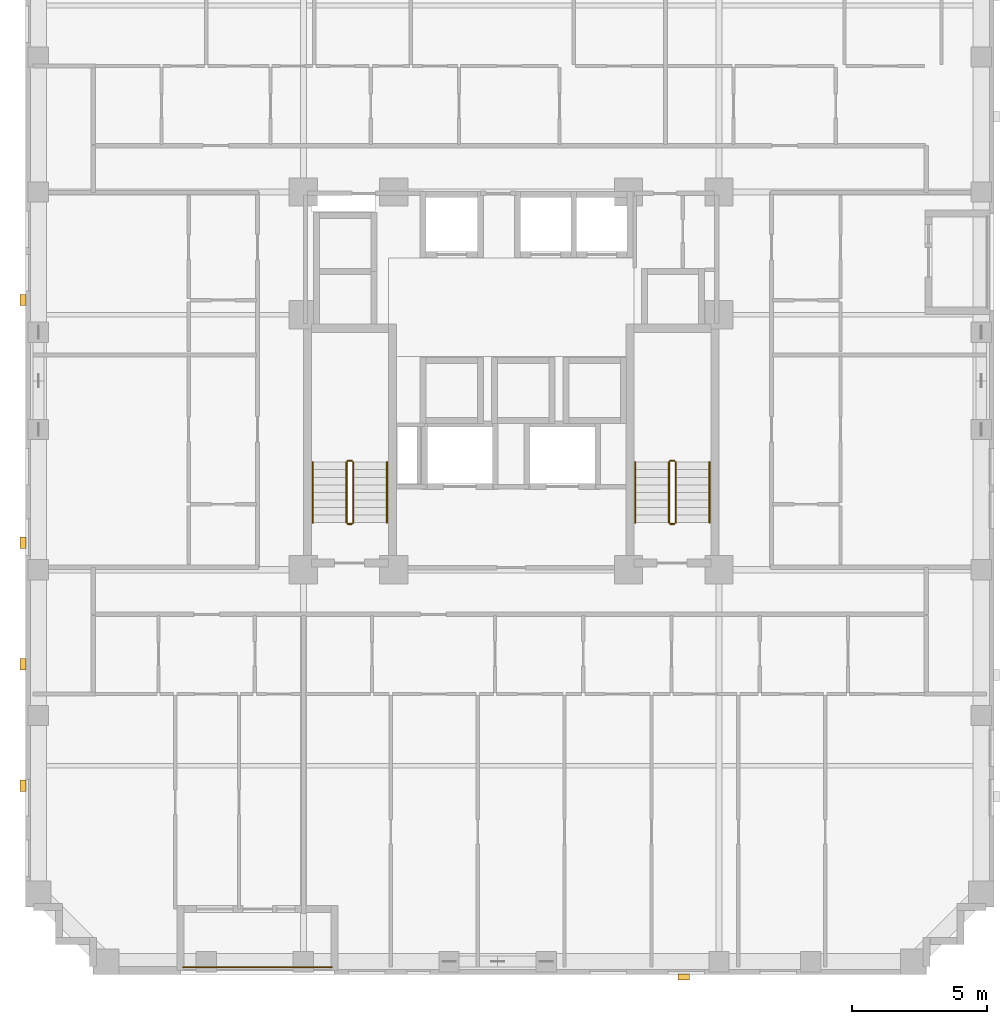
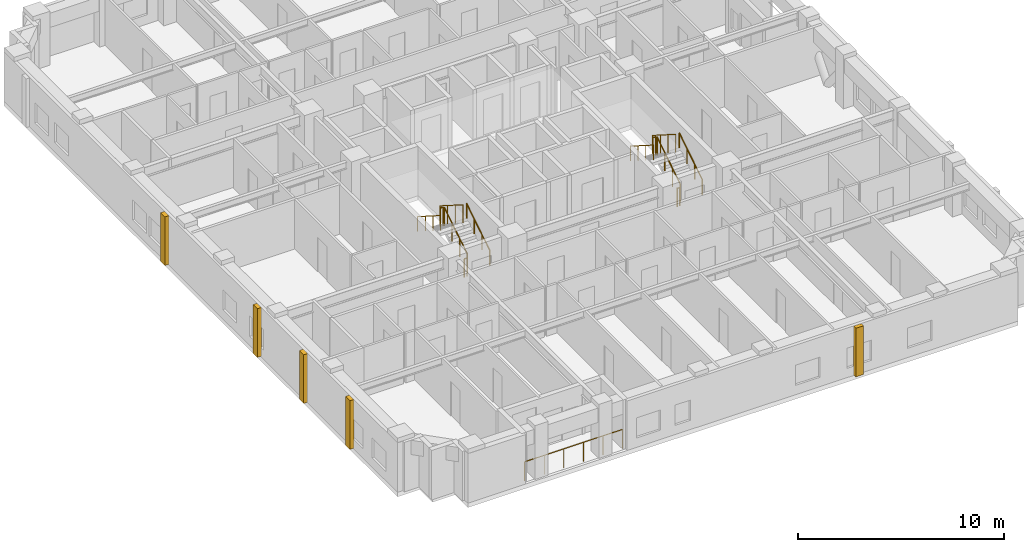
# One storey, part 11 of 12: 13 railings, 5 coverings.
"""IFC4 building model written with IfcOpenShell, lengths in metres."""

from ifc_helpers import new_model, si_unit, derived_unit, direction, frame, origin, origin_2d, place, context, subcontext, project, spatial, rectangle, circle, extrude, material, layer, layer_set, type_object, element, save


model = new_model("IFC4")

# Units and contexts
model_context = context("Model", 3, precision=1e-05, world=origin(), true_north=direction((0.0, 1.0)))
body_context = subcontext(model_context, "Body", "Model", "MODEL_VIEW")
ifc_project = project(units=[si_unit("LENGTHUNIT", "METRE"), si_unit("AREAUNIT", "SQUARE_METRE"), si_unit("VOLUMEUNIT", "CUBIC_METRE"), si_unit("PLANEANGLEUNIT", "RADIAN"), si_unit("MASSUNIT", "GRAM", prefix="KILO"), derived_unit("THERMALTRANSMITTANCEUNIT", [(si_unit("MASSUNIT", "GRAM", prefix="KILO"), 1), (si_unit("TIMEUNIT", "SECOND"), -3), (si_unit("THERMODYNAMICTEMPERATUREUNIT", "KELVIN"), -1)])], contexts=[model_context])

# Site, building, storey
site_placement = place(None, origin())
site = spatial("IfcSite", under=ifc_project, at=site_placement, CompositionType="ELEMENT")
building_placement = place(site_placement, origin())
building = spatial("IfcBuilding", under=site, at=building_placement, Name="Korrvale Station Residences", CompositionType="ELEMENT")
storey_placement = place(building_placement, frame((0.0, 0.0, 110.300048828125)))
storey = spatial("IfcBuildingStorey", under=building, at=storey_placement, Name="L31", CompositionType="ELEMENT", Elevation=110.300048828125)

# Coverings
ifc_material_1 = material(Name="Architectural precast concrete C45/55", Category="concrete")
ifc_layer = layer(ifc_material_1, 0.219970703125, Name="Architectural precast concrete C45/55")
ifc_layer_set = layer_set([ifc_layer], Name="Architectural precast concrete C45/55")
covering_type = type_object("IfcCoveringType", Name="COV-PIER-400", PredefinedType="CLADDING", material=ifc_layer_set)
for number, where, z_axis, x_axis, name in (
    (1, (31.89990234375, -0.090087890625, 0.02490234375), (0.0, 0.0, 1.0), (1.0, 0.0, 0.0), "L31 Architectural Precast Facade Pier 01"),
    (2, (7.409912109375, 7.0, 0.02490234375), (0.0, 0.0, 1.0), (0.0, 1.0, 0.0), "L31 Architectural Precast Facade Pier 04"),
    (3, (7.409912109375, 11.5, 0.02490234375), (0.0, 0.0, 1.0), (0.0, 1.0, 0.0), "L31 Architectural Precast Facade Pier 05"),
    (4, (7.409912109375, 16.0, 0.02490234375), (0.0, 0.0, 1.0), (0.0, 1.0, 0.0), "L31 Architectural Precast Facade Pier 06"),
    (5, (7.409912109375, 25.0, 0.02490234375), (0.0, 0.0, 1.0), (0.0, 1.0, 0.0), "L31 Architectural Precast Facade Pier 07"),
):
    element("IfcCovering", number, at=place(storey_placement, frame(where, z_axis=z_axis, x_axis=x_axis)), inside=storey, type_object=covering_type, Name=name, PredefinedType="CLADDING", context=body_context, shape_type="SweptSolid", body=[
        extrude(rectangle(XDim=0.419921875, YDim=0.219970703125, at=origin_2d()), origin(), (0.0, 0.0, 1.0), 2.889892578125),
    ])

# Railings
ifc_material_2 = material(Name="Powder-coated aluminium picket loggia guard", Category="aluminium")
railing_type_1 = type_object("IfcRailingType", Name="RLG-BAL-1150", PredefinedType="GUARDRAIL", material=ifc_material_2)
railing_1_placement = place(storey_placement, frame((13.35009765625, 0.27001953125, 0.0)))
element("IfcRailing", 6, at=railing_1_placement, inside=storey, type_object=railing_type_1, Name="L31 Recessed Loggia Guardrail BAL-L31-S1", PredefinedType="GUARDRAIL", context=body_context, shape_type="SweptSolid", body=[
    extrude(circle(Radius=0.02392578125, at=origin_2d()), frame((0.0, 0.0, 1.1259765625), z_axis=(1.0, 0.0, 0.0), x_axis=(0.0, 1.0, 0.0)), (0.0, 0.0, 1.0), 5.5),
    extrude(circle(Radius=0.02099609375, at=origin_2d()), origin(), (0.0, 0.0, 1.0), 1.101806640625),
    extrude(circle(Radius=0.02099609375, at=origin_2d()), frame((1.10009765625, 0.0, 0.0)), (0.0, 0.0, 1.0), 1.101806640625),
    extrude(circle(Radius=0.02099609375, at=origin_2d()), frame((2.199951171875, 0.0, 0.0)), (0.0, 0.0, 1.0), 1.101806640625),
    extrude(circle(Radius=0.02099609375, at=origin_2d()), frame((3.300048828125, 0.0, 0.0)), (0.0, 0.0, 1.0), 1.101806640625),
    extrude(circle(Radius=0.02099609375, at=origin_2d()), frame((4.39990234375, 0.0, 0.0)), (0.0, 0.0, 1.0), 1.101806640625),
    extrude(circle(Radius=0.02099609375, at=origin_2d()), frame((5.5, 0.0, 0.0)), (0.0, 0.0, 1.0), 1.101806640625),
])
ifc_material_3 = material(Name="Brushed stainless-steel continuous stair handrail", Category="steel")
railing_type_2 = type_object("IfcRailingType", Name="RLG-SHND-900", PredefinedType="HANDRAIL", material=ifc_material_3)
railing_2_placement = place(storey_placement, frame((20.89990234375, 16.75, 0.177734375)))
element("IfcRailing", 7, at=railing_2_placement, inside=storey, type_object=railing_type_2, Name="L31 ST-1 stair handrail 1", PredefinedType="HANDRAIL", context=body_context, shape_type="SweptSolid", body=[
    extrude(circle(Radius=0.02392578125, at=origin_2d()), frame((0.0, 0.0, 0.8759765625), z_axis=(0.0, 0.8442293374, 0.53598211339), x_axis=(-1.0, 0.0, 0.0)), (0.0, 0.0, 1.0), 2.6533203125),
    extrude(circle(Radius=0.02099609375, at=origin_2d()), origin(), (0.0, 0.0, 1.0), 0.851806640625),
    extrude(circle(Radius=0.02099609375, at=origin_2d()), frame((0.0, 0.74658203125, 0.47412109375)), (0.0, 0.0, 1.0), 0.851806640625),
    extrude(circle(Radius=0.02099609375, at=origin_2d()), frame((0.0, 1.493408203125, 0.947998046875)), (0.0, 0.0, 1.0), 0.851806640625),
    extrude(circle(Radius=0.02099609375, at=origin_2d()), frame((0.0, 2.239990234375, 1.422119140625)), (0.0, 0.0, 1.0), 0.851806640625),
])
railing_3_placement = place(storey_placement, frame((18.14990234375, 18.989990234375, 1.77783203125)))
element("IfcRailing", 8, at=railing_3_placement, inside=storey, type_object=railing_type_2, Name="L31 ST-1 stair handrail 2", PredefinedType="HANDRAIL", context=body_context, shape_type="SweptSolid", body=[
    extrude(circle(Radius=0.02392578125, at=origin_2d()), frame((0.0, 0.0, 0.8759765625), z_axis=(0.0, -0.8442293374, 0.53598211339), x_axis=(1.0, 0.0, 0.0)), (0.0, 0.0, 1.0), 2.6533203125),
    extrude(circle(Radius=0.02099609375, at=origin_2d()), origin(), (0.0, 0.0, 1.0), 0.851806640625),
    extrude(circle(Radius=0.02099609375, at=origin_2d()), frame((0.0, -0.74658203125, 0.47412109375)), (0.0, 0.0, 1.0), 0.851806640625),
    extrude(circle(Radius=0.02099609375, at=origin_2d()), frame((0.0, -1.493408203125, 0.947998046875)), (0.0, 0.0, 1.0), 0.851806640625),
    extrude(circle(Radius=0.02099609375, at=origin_2d()), frame((0.0, -2.239990234375, 1.422119140625)), (0.0, 0.0, 1.0), 0.851806640625),
])
railing_4_placement = place(storey_placement, frame((32.85009765625, 16.75, 0.177734375)))
element("IfcRailing", 9, at=railing_4_placement, inside=storey, type_object=railing_type_2, Name="L31 ST-2 stair handrail 1", PredefinedType="HANDRAIL", context=body_context, shape_type="SweptSolid", body=[
    extrude(circle(Radius=0.02392578125, at=origin_2d()), frame((0.0, 0.0, 0.8759765625), z_axis=(0.0, 0.8442293374, 0.53598211339), x_axis=(-1.0, 0.0, 0.0)), (0.0, 0.0, 1.0), 2.6533203125),
    extrude(circle(Radius=0.02099609375, at=origin_2d()), origin(), (0.0, 0.0, 1.0), 0.851806640625),
    extrude(circle(Radius=0.02099609375, at=origin_2d()), frame((0.0, 0.74658203125, 0.47412109375)), (0.0, 0.0, 1.0), 0.851806640625),
    extrude(circle(Radius=0.02099609375, at=origin_2d()), frame((0.0, 1.493408203125, 0.947998046875)), (0.0, 0.0, 1.0), 0.851806640625),
    extrude(circle(Radius=0.02099609375, at=origin_2d()), frame((0.0, 2.239990234375, 1.422119140625)), (0.0, 0.0, 1.0), 0.851806640625),
])
railing_5_placement = place(storey_placement, frame((30.10009765625, 18.989990234375, 1.77783203125)))
element("IfcRailing", 10, at=railing_5_placement, inside=storey, type_object=railing_type_2, Name="L31 ST-2 stair handrail 2", PredefinedType="HANDRAIL", context=body_context, shape_type="SweptSolid", body=[
    extrude(circle(Radius=0.02392578125, at=origin_2d()), frame((0.0, 0.0, 0.8759765625), z_axis=(0.0, -0.8442293374, 0.53598211339), x_axis=(1.0, 0.0, 0.0)), (0.0, 0.0, 1.0), 2.6533203125),
    extrude(circle(Radius=0.02099609375, at=origin_2d()), origin(), (0.0, 0.0, 1.0), 0.851806640625),
    extrude(circle(Radius=0.02099609375, at=origin_2d()), frame((0.0, -0.74658203125, 0.47412109375)), (0.0, 0.0, 1.0), 0.851806640625),
    extrude(circle(Radius=0.02099609375, at=origin_2d()), frame((0.0, -1.493408203125, 0.947998046875)), (0.0, 0.0, 1.0), 0.851806640625),
    extrude(circle(Radius=0.02099609375, at=origin_2d()), frame((0.0, -2.239990234375, 1.422119140625)), (0.0, 0.0, 1.0), 0.851806640625),
])
ifc_material_4 = material(Name="Galvanised painted tubular steel stair guard", Category="steel")
railing_type_3 = type_object("IfcRailingType", Name="RLG-STR-1100", PredefinedType="GUARDRAIL", material=ifc_material_4)
railing_6_placement = place(storey_placement, frame((19.64990234375, 16.75, 0.177734375)))
element("IfcRailing", 11, at=railing_6_placement, inside=storey, type_object=railing_type_3, Name="L31 ST-1 stair guard 1", PredefinedType="GUARDRAIL", context=body_context, shape_type="SweptSolid", body=[
    extrude(circle(Radius=0.02392578125, at=origin_2d()), frame((0.0, 0.0, 1.076171875), z_axis=(0.0, 0.8442293374, 0.53598211339), x_axis=(-1.0, 0.0, 0.0)), (0.0, 0.0, 1.0), 2.6533203125),
    extrude(circle(Radius=0.02099609375, at=origin_2d()), origin(), (0.0, 0.0, 1.0), 1.052001953125),
    extrude(circle(Radius=0.02099609375, at=origin_2d()), frame((0.0, 0.74658203125, 0.47412109375)), (0.0, 0.0, 1.0), 1.052001953125),
    extrude(circle(Radius=0.02099609375, at=origin_2d()), frame((0.0, 1.493408203125, 0.947998046875)), (0.0, 0.0, 1.0), 1.052001953125),
    extrude(circle(Radius=0.02099609375, at=origin_2d()), frame((0.0, 2.239990234375, 1.422119140625)), (0.0, 0.0, 1.0), 1.052001953125),
])
railing_7_placement = place(storey_placement, frame((19.60009765625, 19.0400390625, 1.599853515625)))
element("IfcRailing", 12, at=railing_7_placement, inside=storey, type_object=railing_type_3, Name="L31 ST-1 stair guard 2", PredefinedType="GUARDRAIL", context=body_context, shape_type="SweptSolid", body=[
    extrude(circle(Radius=0.02392578125, at=origin_2d()), frame((0.0, 0.0, 1.076171875), z_axis=(-1.0, 0.0, 0.0), x_axis=(0.0, -1.0, 0.0)), (0.0, 0.0, 1.0), 0.150146484375),
    extrude(circle(Radius=0.02099609375, at=origin_2d()), origin(), (0.0, 0.0, 1.0), 1.052001953125),
    extrude(circle(Radius=0.02099609375, at=origin_2d()), frame((-0.150146484375, 0.0, 0.0)), (0.0, 0.0, 1.0), 1.052001953125),
])
railing_8_placement = place(storey_placement, frame((19.39990234375, 18.989990234375, 1.77783203125)))
element("IfcRailing", 13, at=railing_8_placement, inside=storey, type_object=railing_type_3, Name="L31 ST-1 stair guard 3", PredefinedType="GUARDRAIL", context=body_context, shape_type="SweptSolid", body=[
    extrude(circle(Radius=0.02392578125, at=origin_2d()), frame((0.0, 0.0, 1.076171875), z_axis=(0.0, -0.8442293374, 0.53598211339), x_axis=(1.0, 0.0, 0.0)), (0.0, 0.0, 1.0), 2.6533203125),
    extrude(circle(Radius=0.02099609375, at=origin_2d()), origin(), (0.0, 0.0, 1.0), 1.052001953125),
    extrude(circle(Radius=0.02099609375, at=origin_2d()), frame((0.0, -0.74658203125, 0.47412109375)), (0.0, 0.0, 1.0), 1.052001953125),
    extrude(circle(Radius=0.02099609375, at=origin_2d()), frame((0.0, -1.493408203125, 0.947998046875)), (0.0, 0.0, 1.0), 1.052001953125),
    extrude(circle(Radius=0.02099609375, at=origin_2d()), frame((0.0, -2.239990234375, 1.422119140625)), (0.0, 0.0, 1.0), 1.052001953125),
])
railing_9_placement = place(storey_placement, frame((19.60009765625, 16.699951171875, 0.0)))
element("IfcRailing", 14, at=railing_9_placement, inside=storey, type_object=railing_type_3, Name="L31 ST-1 stair guard 4", PredefinedType="GUARDRAIL", context=body_context, shape_type="SweptSolid", body=[
    extrude(circle(Radius=0.02392578125, at=origin_2d()), frame((0.0, 0.0, 1.076171875), z_axis=(-1.0, 0.0, 0.0), x_axis=(0.0, -1.0, 0.0)), (0.0, 0.0, 1.0), 0.150146484375),
    extrude(circle(Radius=0.02099609375, at=origin_2d()), origin(), (0.0, 0.0, 1.0), 1.052001953125),
    extrude(circle(Radius=0.02099609375, at=origin_2d()), frame((-0.150146484375, 0.0, 0.0)), (0.0, 0.0, 1.0), 1.052001953125),
])
railing_10_placement = place(storey_placement, frame((31.60009765625, 16.75, 0.177734375)))
element("IfcRailing", 15, at=railing_10_placement, inside=storey, type_object=railing_type_3, Name="L31 ST-2 stair guard 1", PredefinedType="GUARDRAIL", context=body_context, shape_type="SweptSolid", body=[
    extrude(circle(Radius=0.02392578125, at=origin_2d()), frame((0.0, 0.0, 1.076171875), z_axis=(0.0, 0.8442293374, 0.53598211339), x_axis=(-1.0, 0.0, 0.0)), (0.0, 0.0, 1.0), 2.6533203125),
    extrude(circle(Radius=0.02099609375, at=origin_2d()), origin(), (0.0, 0.0, 1.0), 1.052001953125),
    extrude(circle(Radius=0.02099609375, at=origin_2d()), frame((0.0, 0.74658203125, 0.47412109375)), (0.0, 0.0, 1.0), 1.052001953125),
    extrude(circle(Radius=0.02099609375, at=origin_2d()), frame((0.0, 1.493408203125, 0.947998046875)), (0.0, 0.0, 1.0), 1.052001953125),
    extrude(circle(Radius=0.02099609375, at=origin_2d()), frame((0.0, 2.239990234375, 1.422119140625)), (0.0, 0.0, 1.0), 1.052001953125),
])
railing_11_placement = place(storey_placement, frame((31.550048828125, 19.0400390625, 1.599853515625)))
element("IfcRailing", 16, at=railing_11_placement, inside=storey, type_object=railing_type_3, Name="L31 ST-2 stair guard 2", PredefinedType="GUARDRAIL", context=body_context, shape_type="SweptSolid", body=[
    extrude(circle(Radius=0.02392578125, at=origin_2d()), frame((0.0, 0.0, 1.076171875), z_axis=(-1.0, 0.0, 0.0), x_axis=(0.0, -1.0, 0.0)), (0.0, 0.0, 1.0), 0.150146484375),
    extrude(circle(Radius=0.02099609375, at=origin_2d()), origin(), (0.0, 0.0, 1.0), 1.052001953125),
    extrude(circle(Radius=0.02099609375, at=origin_2d()), frame((-0.150146484375, 0.0, 0.0)), (0.0, 0.0, 1.0), 1.052001953125),
])
railing_12_placement = place(storey_placement, frame((31.35009765625, 18.989990234375, 1.77783203125)))
element("IfcRailing", 17, at=railing_12_placement, inside=storey, type_object=railing_type_3, Name="L31 ST-2 stair guard 3", PredefinedType="GUARDRAIL", context=body_context, shape_type="SweptSolid", body=[
    extrude(circle(Radius=0.02392578125, at=origin_2d()), frame((0.0, 0.0, 1.076171875), z_axis=(0.0, -0.8442293374, 0.53598211339), x_axis=(1.0, 0.0, 0.0)), (0.0, 0.0, 1.0), 2.6533203125),
    extrude(circle(Radius=0.02099609375, at=origin_2d()), origin(), (0.0, 0.0, 1.0), 1.052001953125),
    extrude(circle(Radius=0.02099609375, at=origin_2d()), frame((0.0, -0.74658203125, 0.47412109375)), (0.0, 0.0, 1.0), 1.052001953125),
    extrude(circle(Radius=0.02099609375, at=origin_2d()), frame((0.0, -1.493408203125, 0.947998046875)), (0.0, 0.0, 1.0), 1.052001953125),
    extrude(circle(Radius=0.02099609375, at=origin_2d()), frame((0.0, -2.239990234375, 1.422119140625)), (0.0, 0.0, 1.0), 1.052001953125),
])
railing_13_placement = place(storey_placement, frame((31.550048828125, 16.699951171875, 0.0)))
element("IfcRailing", 18, at=railing_13_placement, inside=storey, type_object=railing_type_3, Name="L31 ST-2 stair guard 4", PredefinedType="GUARDRAIL", context=body_context, shape_type="SweptSolid", body=[
    extrude(circle(Radius=0.02392578125, at=origin_2d()), frame((0.0, 0.0, 1.076171875), z_axis=(-1.0, 0.0, 0.0), x_axis=(0.0, -1.0, 0.0)), (0.0, 0.0, 1.0), 0.150146484375),
    extrude(circle(Radius=0.02099609375, at=origin_2d()), origin(), (0.0, 0.0, 1.0), 1.052001953125),
    extrude(circle(Radius=0.02099609375, at=origin_2d()), frame((-0.150146484375, 0.0, 0.0)), (0.0, 0.0, 1.0), 1.052001953125),
])

save(model, "model.ifc")
